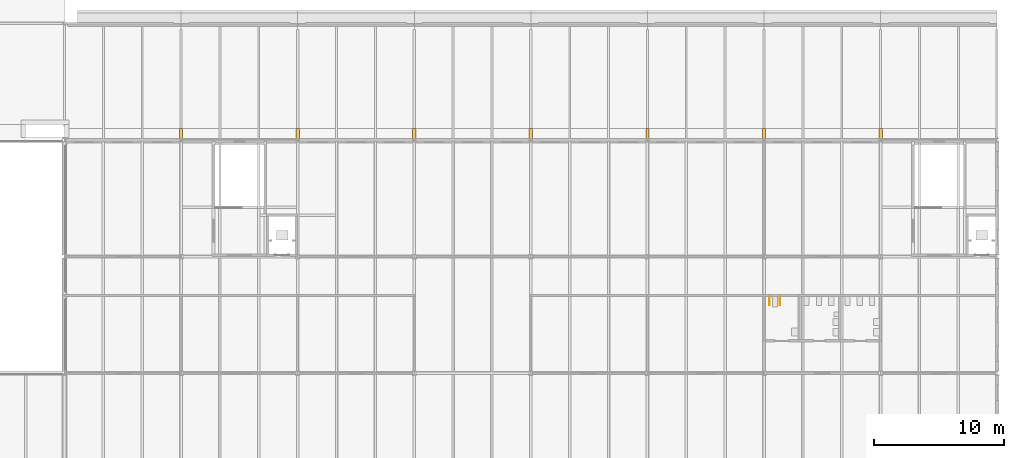
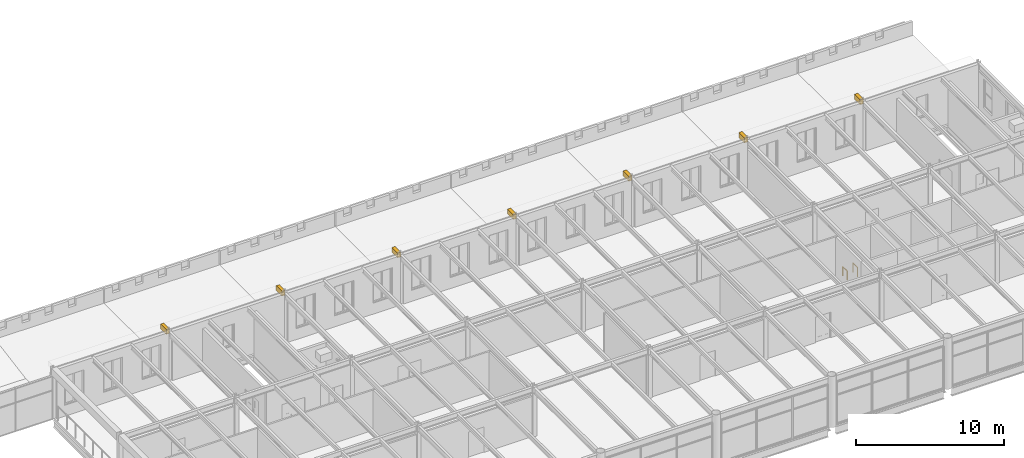
# One storey, part 118 of 123: 7 coverings, 2 railings.
"""IFC4 building model written with IfcOpenShell, lengths in metres."""

from ifc_helpers import new_model, si_unit, direction, frame, origin, origin_2d, place, context, subcontext, project, spatial, polyline, circle, outline, extrude, material, type_object, element, save


model = new_model("IFC4")

# Units and contexts
model_context = context("Model", 3, precision=1e-05, world=origin(), true_north=direction((0.0, 1.0)))
body_context = subcontext(model_context, "Body", "Model", "MODEL_VIEW")
ifc_project = project(units=[si_unit("LENGTHUNIT", "METRE"), si_unit("AREAUNIT", "SQUARE_METRE"), si_unit("VOLUMEUNIT", "CUBIC_METRE"), si_unit("PLANEANGLEUNIT", "RADIAN"), si_unit("MASSUNIT", "GRAM", prefix="KILO")], contexts=[model_context])

# Site, building, storey
site_placement = place(None, origin())
site = spatial("IfcSite", under=ifc_project, at=site_placement, CompositionType="ELEMENT")
building_placement = place(site_placement, origin())
building = spatial("IfcBuilding", under=site, at=building_placement, Name="Baradari Gate Terminus", CompositionType="ELEMENT")
storey_placement = place(building_placement, frame((0.0, 0.0, 7.5)))
storey = spatial("IfcBuildingStorey", under=building, at=storey_placement, Name="L01", CompositionType="ELEMENT", Elevation=7.5)

# Railings
ifc_material_1 = material(Name="Stainless steel 1.4301", Category="steel")
railing_type = type_object("IfcRailingType", Name="Grab rail GB-1 750", PredefinedType="HANDRAIL", material=ifc_material_1)
for number, where, name in (
    (1, (225.4375, 95.862548828125, 0.0), "Grab rail Accessible WC"),
    (2, (226.237548828125, 95.862548828125, 0.0), "Grab rail Accessible WC"),
):
    element("IfcRailing", number, at=place(storey_placement, frame(where)), inside=storey, type_object=railing_type, Name=name, PredefinedType="HANDRAIL", context=body_context, shape_type="SweptSolid", body=[
        extrude(circle(Radius=0.02392578125, at=origin_2d()), frame((0.0, 0.0, 0.72607421875), z_axis=(0.0, -1.0, 0.0), x_axis=(1.0, 0.0, 0.0)), (0.0, 0.0, 1.0), 0.60009765625),
        extrude(circle(Radius=0.02099609375, at=origin_2d()), origin(), (0.0, 0.0, 1.0), 0.701904296875),
        extrude(circle(Radius=0.02099609375, at=origin_2d()), frame((0.0, -0.60009765625, 0.0)), (0.0, 0.0, 1.0), 0.701904296875),
    ])

# Coverings
ifc_material_2 = material(Name="Concrete C40/50", Category="concrete")
covering_type = type_object("IfcCoveringType", Name="Precast cornice joint closer CO2", PredefinedType="CLADDING", material=ifc_material_2)
covering_1_placement = place(storey_placement, frame((0.0, 0.0, 3.64990234375)))
element("IfcCovering", 3, at=covering_1_placement, inside=storey, type_object=covering_type, Name="Precast cornice band joint closer", PredefinedType="CLADDING", context=body_context, shape_type="SweptSolid", body=[
    extrude(outline(polyline([(179.871826171875, 108.903564453125), (180.128173828125, 108.903564453125), (180.128173828125, 108.130126953125), (179.871826171875, 108.130126953125), (179.871826171875, 108.903564453125)])), origin(), (0.0, 0.0, 1.0), 0.400146484375),
])
covering_2_placement = place(storey_placement, frame((0.0, 0.0, 3.64990234375)))
element("IfcCovering", 4, at=covering_2_placement, inside=storey, type_object=covering_type, Name="Precast cornice band joint closer", PredefinedType="CLADDING", context=body_context, shape_type="SweptSolid", body=[
    extrude(outline(polyline([(188.871826171875, 108.903564453125), (189.128173828125, 108.903564453125), (189.128173828125, 108.130126953125), (188.871826171875, 108.130126953125), (188.871826171875, 108.903564453125)])), origin(), (0.0, 0.0, 1.0), 0.400146484375),
])
covering_3_placement = place(storey_placement, frame((0.0, 0.0, 3.64990234375)))
element("IfcCovering", 5, at=covering_3_placement, inside=storey, type_object=covering_type, Name="Precast cornice band joint closer", PredefinedType="CLADDING", context=body_context, shape_type="SweptSolid", body=[
    extrude(outline(polyline([(197.871826171875, 108.903564453125), (198.128173828125, 108.903564453125), (198.128173828125, 108.130126953125), (197.871826171875, 108.130126953125), (197.871826171875, 108.903564453125)])), origin(), (0.0, 0.0, 1.0), 0.400146484375),
])
covering_4_placement = place(storey_placement, frame((0.0, 0.0, 3.64990234375)))
element("IfcCovering", 6, at=covering_4_placement, inside=storey, type_object=covering_type, Name="Precast cornice band joint closer", PredefinedType="CLADDING", context=body_context, shape_type="SweptSolid", body=[
    extrude(outline(polyline([(206.871826171875, 108.903564453125), (207.128173828125, 108.903564453125), (207.128173828125, 108.130126953125), (206.871826171875, 108.130126953125), (206.871826171875, 108.903564453125)])), origin(), (0.0, 0.0, 1.0), 0.400146484375),
])
covering_5_placement = place(storey_placement, frame((0.0, 0.0, 3.64990234375)))
element("IfcCovering", 7, at=covering_5_placement, inside=storey, type_object=covering_type, Name="Precast cornice band joint closer", PredefinedType="CLADDING", context=body_context, shape_type="SweptSolid", body=[
    extrude(outline(polyline([(215.871826171875, 108.903564453125), (216.128173828125, 108.903564453125), (216.128173828125, 108.130126953125), (215.871826171875, 108.130126953125), (215.871826171875, 108.903564453125)])), origin(), (0.0, 0.0, 1.0), 0.400146484375),
])
covering_6_placement = place(storey_placement, frame((0.0, 0.0, 3.64990234375)))
element("IfcCovering", 8, at=covering_6_placement, inside=storey, type_object=covering_type, Name="Precast cornice band joint closer", PredefinedType="CLADDING", context=body_context, shape_type="SweptSolid", body=[
    extrude(outline(polyline([(224.871826171875, 108.903564453125), (225.128173828125, 108.903564453125), (225.128173828125, 108.130126953125), (224.871826171875, 108.130126953125), (224.871826171875, 108.903564453125)])), origin(), (0.0, 0.0, 1.0), 0.400146484375),
])
covering_7_placement = place(storey_placement, frame((0.0, 0.0, 3.64990234375)))
element("IfcCovering", 9, at=covering_7_placement, inside=storey, type_object=covering_type, Name="Precast cornice band joint closer", PredefinedType="CLADDING", context=body_context, shape_type="SweptSolid", body=[
    extrude(outline(polyline([(233.871826171875, 108.903564453125), (234.128173828125, 108.903564453125), (234.128173828125, 108.130126953125), (233.871826171875, 108.130126953125), (233.871826171875, 108.903564453125)])), origin(), (0.0, 0.0, 1.0), 0.400146484375),
])

save(model, "model.ifc")
